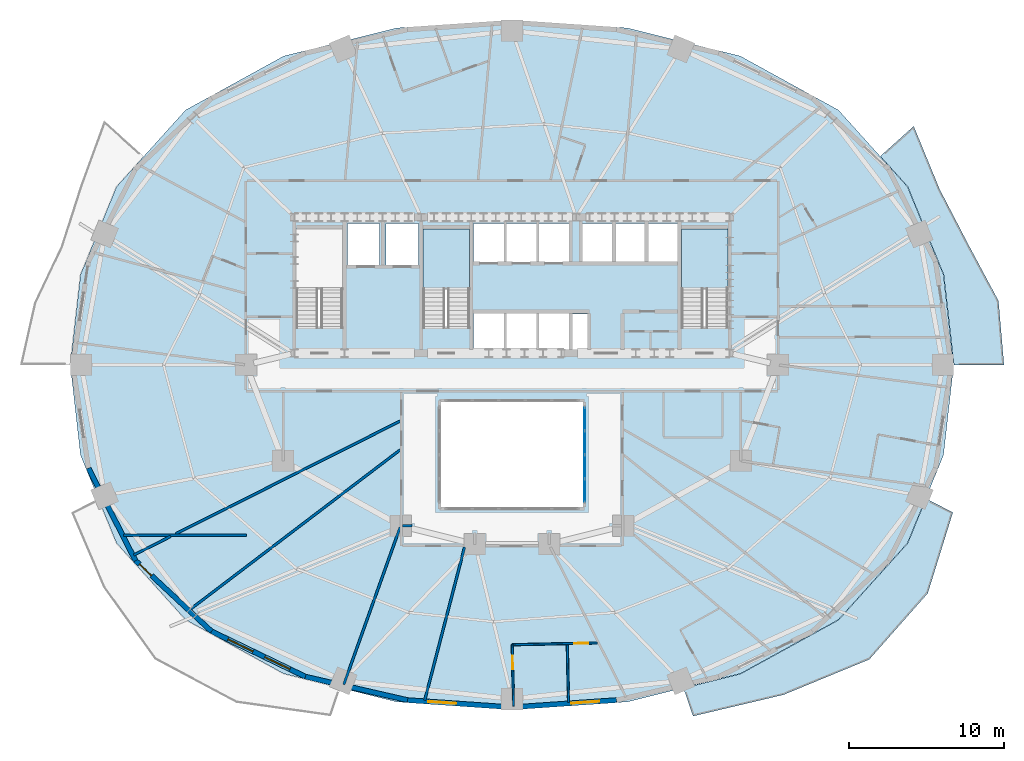
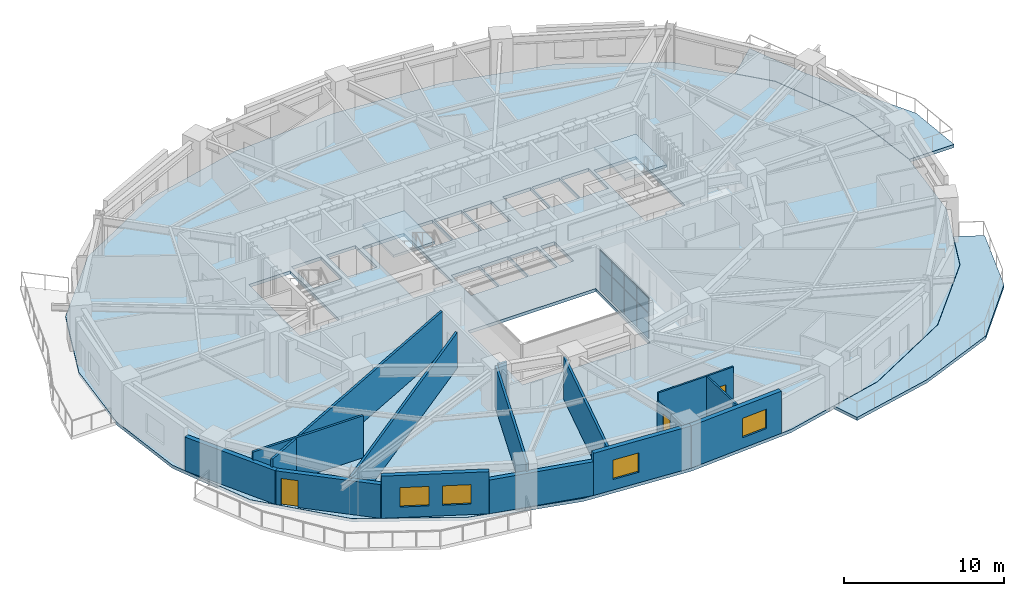
# One storey, part 7 of 15: 16 walls, 8 plates, 5 slabs, 4 windows, 3 doors, 7 openings, 3 elements without a shape of their own.
"""IFC4 building model written with IfcOpenShell, lengths in metres."""

from ifc_helpers import new_model, si_unit, direction, frame, frame_2d, origin, origin_2d, place, context, subcontext, project, spatial, polyline, rectangle, outline, extrude, material, layer, layer_set, type_object, element, fill, aggregate, save


model = new_model("IFC4")

# Units and contexts
model_context = context("Model", 3, precision=1e-05, world=origin(), true_north=direction((0.0, 1.0)))
body_context = subcontext(model_context, "Body", "Model", "MODEL_VIEW")
ifc_project = project(units=[si_unit("LENGTHUNIT", "METRE"), si_unit("AREAUNIT", "SQUARE_METRE"), si_unit("VOLUMEUNIT", "CUBIC_METRE"), si_unit("PLANEANGLEUNIT", "RADIAN"), si_unit("MASSUNIT", "GRAM", prefix="KILO")], contexts=[model_context])

# Site, building, storey
site_placement = place(None, origin())
site = spatial("IfcSite", under=ifc_project, at=site_placement, CompositionType="ELEMENT")
building_placement = place(site_placement, origin())
building = spatial("IfcBuilding", under=site, at=building_placement, Name="Haldorwick Loom Tower", CompositionType="ELEMENT")
storey_placement = place(building_placement, frame((0.0, 0.0, 81.800048828125)))
storey = spatial("IfcBuildingStorey", under=building, at=storey_placement, Name="L21", CompositionType="ELEMENT", Elevation=81.800048828125)

# Curtain wall, plates
ifc_material_1 = material(Name="Thermally Broken Anodized Aluminium Curtain Wall Framing", Category="aluminium")
curtain_wall_type = type_object("IfcCurtainWallType", Name="ARC-CW-03", PredefinedType="NOTDEFINED", material=ifc_material_1)
curtain_wall_placement = place(storey_placement, origin())
curtain_wall = element("IfcCurtainWall", 1, at=curtain_wall_placement, inside=storey, type_object=curtain_wall_type, Name="L21 Atrium Glazed Screen E", PredefinedType="NOTDEFINED")
ifc_material_2 = material(Name="Triple-Glazed Low-E Argon Insulated Glazing Unit", Category="glass")
ifc_layer_1 = layer(ifc_material_2, 0.04296875, Name="Triple-Glazed Low-E Argon Insulated Glazing Unit", Category="glass")
ifc_layer_set_1 = layer_set([ifc_layer_1], Name="Triple-Glazed Low-E Argon Insulated Glazing Unit")
plate_type = type_object("IfcPlateType", Name="ARC-CWP-03", PredefinedType="CURTAIN_PANEL", material=ifc_layer_set_1)
plate_1_placement = place(storey_placement, frame((40.699951171875, 22.508544921875, 0.06591796875), z_axis=(0.0, 0.0, 1.0), x_axis=(0.0, -1.0, 0.0)))
plate_1 = element("IfcPlate", 2, at=plate_1_placement, type_object=plate_type, Name="CW-03 panel 1.1", PredefinedType="CURTAIN_PANEL", context=body_context, shape_type="SweptSolid", body=[
    extrude(rectangle(XDim=1.450927734375, YDim=0.04296875, at=origin_2d()), origin(), (0.0, 0.0, 1.0), 1.90087890625),
])
plate_2_placement = place(storey_placement, frame((40.699951171875, 22.508544921875, 2.03271484375), z_axis=(0.0, 0.0, 1.0), x_axis=(0.0, -1.0, 0.0)))
plate_2 = element("IfcPlate", 3, at=plate_2_placement, type_object=plate_type, Name="CW-03 panel 1.2", PredefinedType="CURTAIN_PANEL", context=body_context, shape_type="SweptSolid", body=[
    extrude(rectangle(XDim=1.450927734375, YDim=0.04296875, at=origin_2d()), origin(), (0.0, 0.0, 1.0), 1.111083984375),
])
plate_3_placement = place(storey_placement, frame((40.699951171875, 20.97509765625, 0.06591796875), z_axis=(0.0, 0.0, 1.0), x_axis=(0.0, -1.0, 0.0)))
plate_3 = element("IfcPlate", 4, at=plate_3_placement, type_object=plate_type, Name="CW-03 panel 2.1", PredefinedType="CURTAIN_PANEL", context=body_context, shape_type="SweptSolid", body=[
    extrude(rectangle(XDim=1.48388671875, YDim=0.04296875, at=origin_2d()), origin(), (0.0, 0.0, 1.0), 1.90087890625),
])
plate_4_placement = place(storey_placement, frame((40.699951171875, 20.97509765625, 2.03271484375), z_axis=(0.0, 0.0, 1.0), x_axis=(0.0, -1.0, 0.0)))
plate_4 = element("IfcPlate", 5, at=plate_4_placement, type_object=plate_type, Name="CW-03 panel 2.2", PredefinedType="CURTAIN_PANEL", context=body_context, shape_type="SweptSolid", body=[
    extrude(rectangle(XDim=1.48388671875, YDim=0.04296875, at=origin_2d()), origin(), (0.0, 0.0, 1.0), 1.111083984375),
])
plate_5_placement = place(storey_placement, frame((40.699951171875, 19.425048828125, 0.06591796875), z_axis=(0.0, 0.0, 1.0), x_axis=(0.0, -1.0, 0.0)))
plate_5 = element("IfcPlate", 6, at=plate_5_placement, type_object=plate_type, Name="CW-03 panel 3.1", PredefinedType="CURTAIN_PANEL", context=body_context, shape_type="SweptSolid", body=[
    extrude(rectangle(XDim=1.48388671875, YDim=0.04296875, at=origin_2d()), origin(), (0.0, 0.0, 1.0), 1.90087890625),
])
plate_6_placement = place(storey_placement, frame((40.699951171875, 19.425048828125, 2.03271484375), z_axis=(0.0, 0.0, 1.0), x_axis=(0.0, -1.0, 0.0)))
plate_6 = element("IfcPlate", 7, at=plate_6_placement, type_object=plate_type, Name="CW-03 panel 3.2", PredefinedType="CURTAIN_PANEL", context=body_context, shape_type="SweptSolid", body=[
    extrude(rectangle(XDim=1.48388671875, YDim=0.04296875, at=origin_2d()), origin(), (0.0, 0.0, 1.0), 1.111083984375),
])
plate_7_placement = place(storey_placement, frame((40.699951171875, 17.8916015625, 0.06591796875), z_axis=(0.0, 0.0, 1.0), x_axis=(0.0, -1.0, 0.0)))
plate_7 = element("IfcPlate", 8, at=plate_7_placement, type_object=plate_type, Name="CW-03 panel 4.1", PredefinedType="CURTAIN_PANEL", context=body_context, shape_type="SweptSolid", body=[
    extrude(rectangle(XDim=1.450927734375, YDim=0.04296875, at=origin_2d()), origin(), (0.0, 0.0, 1.0), 1.90087890625),
])
plate_8_placement = place(storey_placement, frame((40.699951171875, 17.8916015625, 2.03271484375), z_axis=(0.0, 0.0, 1.0), x_axis=(0.0, -1.0, 0.0)))
plate_8 = element("IfcPlate", 9, at=plate_8_placement, type_object=plate_type, Name="CW-03 panel 4.2", PredefinedType="CURTAIN_PANEL", context=body_context, shape_type="SweptSolid", body=[
    extrude(rectangle(XDim=1.450927734375, YDim=0.04296875, at=origin_2d()), origin(), (0.0, 0.0, 1.0), 1.111083984375),
])
aggregate(curtain_wall, [plate_1, plate_2, plate_3, plate_4, plate_5, plate_6, plate_7, plate_8])

# Slabs
ifc_material_3 = material(Name="Concrete C40 (40 MPa)", Category="concrete")
ifc_layer_2 = layer(ifc_material_3, 0.239990234375, Name="Concrete C40 (40 MPa)", Category="concrete")
ifc_layer_set_2 = layer_set([ifc_layer_2], Name="Concrete C40 (40 MPa)")
slab_type_1 = type_object("IfcSlabType", Name="STR-SLB-BAL240", PredefinedType="FLOOR", material=ifc_layer_set_2)
slab_1_placement = place(storey_placement, frame((0.0, 0.0, -0.239990234375)))
element("IfcSlab", 10, at=slab_1_placement, inside=storey, type_object=slab_type_1, Name="L21 Sinusoidal Balcony Terrace BAL_SE", PredefinedType="FLOOR", context=body_context, shape_type="SweptSolid", body=[
    extrude(outline(polyline([(62.759033203125, 17.349609375), (61.580078125, 14.468994140625), (61.579345703125, 14.4677734375), (61.578857421875, 14.466552734375), (61.578125, 14.465576171875), (61.5771484375, 14.464599609375), (57.11279296875, 9.51318359375), (57.11181640625, 9.51220703125), (57.1103515625, 9.510986328125), (57.10888671875, 9.51025390625), (50.767822265625, 6.0244140625), (50.7666015625, 6.023681640625), (50.765380859375, 6.023193359375), (50.76416015625, 6.022705078125), (47.087890625, 5.10546875), (47.705810546875, 3.292724609375), (53.555908203125, 4.676025390625), (59.101806640625, 6.961669921875), (62.8779296875, 11.235107421875), (64.50244140625, 16.4658203125), (62.759033203125, 17.349609375)])), origin(), (0.0, 0.0, 1.0), 0.239990234375),
])
slab_2_placement = place(storey_placement, frame((0.0, 0.0, -0.239990234375)))
element("IfcSlab", 11, at=slab_2_placement, inside=storey, type_object=slab_type_1, Name="L21 Sinusoidal Balcony Terrace BAL_ENE", PredefinedType="FLOOR", context=body_context, shape_type="SweptSolid", body=[
    extrude(outline(polyline([(59.8134765625, 39.49169921875), (61.5771484375, 37.535400390625), (61.578125, 37.534423828125), (61.578857421875, 37.533447265625), (61.579345703125, 37.5322265625), (61.580078125, 37.531005859375), (63.90869140625, 31.841796875), (63.9091796875, 31.840576171875), (63.909423828125, 31.83935546875), (63.90966796875, 31.837890625), (64.572509765625, 26.001708984375), (64.572509765625, 26.0), (67.8076171875, 26.0), (67.451904296875, 30.13720703125), (65.49462890625, 33.793701171875), (63.64013671875, 37.364990234375), (61.96923828125, 41.431640625), (59.8134765625, 39.49169921875)])), origin(), (0.0, 0.0, 1.0), 0.239990234375),
])

# Stair, slab
stair_type = type_object("IfcStairType", Name="STR-STR-CORE", PredefinedType="HALF_TURN_STAIR", material=ifc_material_3)
stair_1_placement = place(storey_placement, origin())
stair_1 = element("IfcStair", 12, at=stair_1_placement, inside=storey, type_object=stair_type, Name="L21 Exit Stair ST-02", PredefinedType="HALF_TURN_STAIR")
ifc_layer_3 = layer(ifc_material_3, 0.199951171875, Name="Concrete C40 (40 MPa)", Category="concrete")
ifc_layer_set_3 = layer_set([ifc_layer_3], Name="Concrete C40 (40 MPa)")
slab_type_2 = type_object("IfcSlabType", Name="STR-SLB-LAND200", PredefinedType="LANDING", material=ifc_layer_set_3)
slab_3_placement = place(storey_placement, frame((0.0, 0.0, 1.52490234375)))
slab_3 = element("IfcSlab", 13, at=slab_3_placement, type_object=slab_type_2, Name="ST-02 landing 1", PredefinedType="LANDING", context=body_context, shape_type="SweptSolid", body=[
    extrude(outline(polyline([(49.949951171875, 30.919921875), (49.949951171875, 34.800048828125), (46.949951171875, 34.800048828125), (46.949951171875, 30.919921875), (49.949951171875, 30.919921875)])), origin(), (0.0, 0.0, 1.0), 0.199951171875),
])
aggregate(stair_1, [slab_3])

stair_2_placement = place(storey_placement, origin())
stair_2 = element("IfcStair", 14, at=stair_2_placement, inside=storey, type_object=stair_type, Name="L21 Exit Stair ST-03", PredefinedType="HALF_TURN_STAIR")
slab_4_placement = place(storey_placement, frame((0.0, 0.0, 1.52490234375)))
slab_4 = element("IfcSlab", 15, at=slab_4_placement, type_object=slab_type_2, Name="ST-03 landing 1", PredefinedType="LANDING", context=body_context, shape_type="SweptSolid", body=[
    extrude(outline(polyline([(33.25, 30.919921875), (33.25, 34.800048828125), (30.25, 34.800048828125), (30.25, 30.919921875), (33.25, 30.919921875)])), origin(), (0.0, 0.0, 1.0), 0.199951171875),
])
aggregate(stair_2, [slab_4])

# Slab
ifc_layer_4 = layer(ifc_material_3, 0.239990234375, Name="Concrete C40 (40 MPa)", Category="concrete")
ifc_layer_set_4 = layer_set([ifc_layer_4], Name="Concrete C40 (40 MPa)")
slab_type_3 = type_object("IfcSlabType", Name="STR-SLB-RES240", PredefinedType="FLOOR", material=ifc_layer_set_4)
slab_5_placement = place(storey_placement, frame((0.0, 0.0, -0.239990234375)))
element("IfcSlab", 16, at=slab_5_placement, inside=storey, type_object=slab_type_3, Name="L21 Residential Structural Floor Slab", PredefinedType="FLOOR", context=body_context, shape_type="SweptSolid", body=[
    extrude(outline(polyline([(57.101806640625, 9.523193359375), (61.566162109375, 14.474609375), (63.894775390625, 20.163818359375), (64.5576171875, 26.0), (63.894775390625, 31.836181640625), (61.566162109375, 37.525390625), (57.101806640625, 42.476806640625), (50.760498046875, 45.962646484375), (43.474365234375, 47.781005859375), (36.0, 48.29833984375), (28.525634765625, 47.781005859375), (21.239501953125, 45.962646484375), (14.898193359375, 42.476806640625), (10.433837890625, 37.525390625), (8.105224609375, 31.836181640625), (7.4423828125, 26.0), (8.105224609375, 20.163818359375), (10.433837890625, 14.474609375), (14.898193359375, 9.523193359375), (21.239501953125, 6.037353515625), (28.525634765625, 4.218994140625), (36.0, 3.70166015625), (43.474365234375, 4.218994140625), (50.760498046875, 6.037353515625), (57.101806640625, 9.523193359375)]), holes=[polyline([(31.39990234375, 23.60009765625), (40.60009765625, 23.60009765625), (40.60009765625, 16.800048828125), (31.39990234375, 16.800048828125), (31.39990234375, 23.60009765625)]), polyline([(33.5, 26.85009765625), (33.5, 29.35009765625), (35.5, 29.35009765625), (35.5, 26.85009765625), (33.5, 26.85009765625)]), polyline([(22.050048828125, 28.39990234375), (22.050048828125, 34.800048828125), (25.050048828125, 34.800048828125), (25.050048828125, 28.639892578125), (23.6201171875, 28.639892578125), (23.6201171875, 28.39990234375), (22.050048828125, 28.39990234375)]), polyline([(30.25, 28.39990234375), (30.25, 34.800048828125), (33.25, 34.800048828125), (33.25, 28.639892578125), (31.820068359375, 28.639892578125), (31.820068359375, 28.39990234375), (30.25, 28.39990234375)]), polyline([(25.35009765625, 32.449951171875), (25.35009765625, 35.14990234375), (27.449951171875, 35.14990234375), (27.449951171875, 32.449951171875), (25.35009765625, 32.449951171875)]), polyline([(27.85009765625, 32.449951171875), (27.85009765625, 35.14990234375), (29.949951171875, 35.14990234375), (29.949951171875, 32.449951171875), (27.85009765625, 32.449951171875)]), polyline([(33.5, 32.64990234375), (33.5, 35.14990234375), (35.5, 35.14990234375), (35.5, 32.64990234375), (33.5, 32.64990234375)]), polyline([(35.60009765625, 32.64990234375), (35.60009765625, 35.14990234375), (37.60009765625, 35.14990234375), (37.60009765625, 32.64990234375), (35.60009765625, 32.64990234375)]), polyline([(35.60009765625, 26.85009765625), (35.60009765625, 29.35009765625), (37.60009765625, 29.35009765625), (37.60009765625, 26.85009765625), (35.60009765625, 26.85009765625)]), polyline([(37.699951171875, 26.85009765625), (37.699951171875, 29.35009765625), (39.699951171875, 29.35009765625), (39.699951171875, 26.85009765625), (37.699951171875, 26.85009765625)]), polyline([(39.89990234375, 26.89990234375), (39.89990234375, 29.300048828125), (40.89990234375, 29.300048828125), (40.89990234375, 26.89990234375), (39.89990234375, 26.89990234375)]), polyline([(46.949951171875, 28.39990234375), (46.949951171875, 34.800048828125), (49.949951171875, 34.800048828125), (49.949951171875, 28.639892578125), (48.52001953125, 28.639892578125), (48.52001953125, 28.39990234375), (46.949951171875, 28.39990234375)]), polyline([(37.699951171875, 32.64990234375), (37.699951171875, 35.14990234375), (39.699951171875, 35.14990234375), (39.699951171875, 32.64990234375), (37.699951171875, 32.64990234375)]), polyline([(40.550048828125, 32.64990234375), (40.550048828125, 35.14990234375), (42.550048828125, 35.14990234375), (42.550048828125, 32.64990234375), (40.550048828125, 32.64990234375)]), polyline([(42.64990234375, 32.64990234375), (42.64990234375, 35.14990234375), (44.64990234375, 35.14990234375), (44.64990234375, 32.64990234375), (42.64990234375, 32.64990234375)]), polyline([(44.75, 32.64990234375), (44.75, 35.14990234375), (46.75, 35.14990234375), (46.75, 32.64990234375), (44.75, 32.64990234375)])]), origin(), (0.0, 0.0, 1.0), 0.239990234375),
])

# Wall
ifc_material_4 = material(Name="Pressed Clay Face Brick and Insulated Masonry Backup Assembly", Category="masonry")
ifc_layer_5 = layer(ifc_material_4, 0.320068359375, Name="Pressed Clay Face Brick and Insulated Masonry Backup Assembly", Category="masonry")
ifc_layer_set_5 = layer_set([ifc_layer_5], Name="Pressed Clay Face Brick and Insulated Masonry Backup Assembly")
wall_type_1 = type_object("IfcWallType", Name="ARC-WL-EXT320", PredefinedType="STANDARD", material=ifc_layer_set_5)
wall_1_placement = place(storey_placement, frame((8.619384765625, 19.324951171875, 0.0), z_axis=(0.0, 0.0, 1.0), x_axis=(0.453374078001, -0.89132033826, 0.0)))
element("IfcWall", 17, at=wall_1_placement, inside=storey, type_object=wall_type_1, Name="L21 Brick Pier and Spandrel Wall 14", PredefinedType="STANDARD", context=body_context, shape_type="SweptSolid", body=[
    extrude(rectangle(XDim=6.709716796875, YDim=0.320068359375, at=frame_2d((3.35498046875, 0.0))), origin(), (0.0, 0.0, 1.0), 2.56884765625),
])

# Wall, opening, door
wall_2_placement = place(storey_placement, frame((11.661376953125, 13.344482421875, 0.0), z_axis=(0.0, 0.0, 1.0), x_axis=(0.732137360086, -0.681157020052, 0.0)))
wall_2 = element("IfcWall", 18, at=wall_2_placement, inside=storey, type_object=wall_type_1, Name="L21 Brick Pier and Spandrel Wall 15", PredefinedType="STANDARD", context=body_context, shape_type="SweptSolid", body=[
    extrude(rectangle(XDim=6.709228515625, YDim=0.320068359375, at=frame_2d((3.3544921875, 0.0))), origin(), (0.0, 0.0, 1.0), 2.56884765625),
])
opening_1_placement = place(wall_2_placement, frame((0.340087890625, 0.0, 0.0)))
opening_1 = element("IfcOpeningElement", 19, at=opening_1_placement, cuts=wall_2, Name="Opening D-BL11", PredefinedType="OPENING", context=body_context, shape_type="SweptSolid", body=[
    extrude(rectangle(XDim=1.080078125, YDim=2.0400390625, at=frame_2d((0.5400390625, 1.02001953125))), frame((0.0, 0.169921875, 0.0), z_axis=(0.0, -1.0, 0.0), x_axis=(1.0, 0.0, 0.0)), (0.0, 0.0, 1.0), 0.340087890625),
])
door_type_1 = type_object("IfcDoorType", Name="ARC-DR-BAL110", OperationType="NOTDEFINED", PredefinedType="DOOR", material=ifc_material_1)
door_1_placement = place(opening_1_placement, origin())
door_1 = element("IfcDoor", 20, at=door_1_placement, inside=storey, type_object=door_type_1, Name="L21 Outdoor Terrace Door SLB-L21-BAL_SW", OperationType="SINGLE_SWING_LEFT", OverallHeight=2.0400390625, OverallWidth=1.080078125, PredefinedType="DOOR", context=body_context, shape_type="SweptSolid", body=[
    extrude(rectangle(XDim=1.080078125, YDim=2.0400390625, at=frame_2d((0.5400390625, 1.02001953125))), frame((0.0, 0.02490234375, 0.0), z_axis=(0.0, -1.0, 0.0), x_axis=(1.0, 0.0, 0.0)), (0.0, 0.0, 1.0), 0.050048828125),
])
fill(opening_1, door_1)

# Wall, openings, windows
wall_3_placement = place(storey_placement, frame((16.573486328125, 8.7744140625, 0.0), z_axis=(0.0, 0.0, 1.0), x_axis=(0.900510094661, -0.434835106004, 0.0)))
wall_3 = element("IfcWall", 21, at=wall_3_placement, inside=storey, type_object=wall_type_1, Name="L21 Brick Pier and Spandrel Wall 16", PredefinedType="STANDARD", context=body_context, shape_type="SweptSolid", body=[
    extrude(rectangle(XDim=6.744873046875, YDim=0.320068359375, at=frame_2d((3.37255859375, 0.0))), origin(), (0.0, 0.0, 1.0), 3.2099609375),
])
opening_2_placement = place(wall_3_placement, frame((1.180908203125, 0.0, 0.800048828125)))
opening_2 = element("IfcOpeningElement", 22, at=opening_2_placement, cuts=wall_3, Name="Opening W-01", PredefinedType="OPENING", context=body_context, shape_type="SweptSolid", body=[
    extrude(rectangle(XDim=1.800048828125, YDim=1.47998046875, at=frame_2d((0.89990234375, 0.739990234375))), frame((0.0, 0.169921875, 0.0), z_axis=(0.0, -1.0, 0.0), x_axis=(1.0, 0.0, 0.0)), (0.0, 0.0, 1.0), 0.340087890625),
])
opening_3_placement = place(wall_3_placement, frame((3.8212890625, 0.0, 0.800048828125)))
opening_3 = element("IfcOpeningElement", 23, at=opening_3_placement, cuts=wall_3, Name="Opening W-01", PredefinedType="OPENING", context=body_context, shape_type="SweptSolid", body=[
    extrude(rectangle(XDim=1.800048828125, YDim=1.47998046875, at=frame_2d((0.89990234375, 0.739990234375))), frame((0.0, 0.169921875, 0.0), z_axis=(0.0, -1.0, 0.0), x_axis=(1.0, 0.0, 0.0)), (0.0, 0.0, 1.0), 0.340087890625),
])
window_type = type_object("IfcWindowType", Name="ARC-WIN-W180", PartitioningType="SINGLE_PANEL", PredefinedType="WINDOW", material=ifc_material_2)
window_1_placement = place(opening_2_placement, origin())
window_1 = element("IfcWindow", 24, at=window_1_placement, inside=storey, type_object=window_type, Name="L21 Deep-Set Zone 7A Window 16", OverallHeight=1.47998046875, OverallWidth=1.800048828125, PartitioningType="SINGLE_PANEL", PredefinedType="WINDOW", context=body_context, shape_type="SweptSolid", body=[
    extrude(rectangle(XDim=1.800048828125, YDim=1.47998046875, at=frame_2d((0.89990234375, 0.739990234375))), frame((0.0, 0.030029296875, 0.0), z_axis=(0.0, -1.0, 0.0), x_axis=(1.0, 0.0, 0.0)), (0.0, 0.0, 1.0), 0.06005859375),
])
fill(opening_2, window_1)
window_2_placement = place(opening_3_placement, origin())
window_2 = element("IfcWindow", 25, at=window_2_placement, inside=storey, type_object=window_type, Name="L21 Deep-Set Zone 7A Window 16", OverallHeight=1.47998046875, OverallWidth=1.800048828125, PartitioningType="SINGLE_PANEL", PredefinedType="WINDOW", context=body_context, shape_type="SweptSolid", body=[
    extrude(rectangle(XDim=1.800048828125, YDim=1.47998046875, at=frame_2d((0.89990234375, 0.739990234375))), frame((0.0, 0.030029296875, 0.0), z_axis=(0.0, -1.0, 0.0), x_axis=(1.0, 0.0, 0.0)), (0.0, 0.0, 1.0), 0.06005859375),
])
fill(opening_3, window_2)

# Wall
wall_4_placement = place(storey_placement, frame((22.647216796875, 5.841552734375, 0.0), z_axis=(0.0, 0.0, 1.0), x_axis=(0.974584177714, -0.224021607329, 0.0)))
element("IfcWall", 26, at=wall_4_placement, inside=storey, type_object=wall_type_1, Name="L21 Brick Pier and Spandrel Wall 17", PredefinedType="STANDARD", context=body_context, shape_type="SweptSolid", body=[
    extrude(rectangle(XDim=6.767822265625, YDim=0.320068359375, at=frame_2d((3.3837890625, 0.0))), origin(), (0.0, 0.0, 1.0), 2.56884765625),
])

# Wall, opening, window
wall_5_placement = place(storey_placement, frame((29.242919921875, 4.325439453125, 0.0), z_axis=(0.0, 0.0, 1.0), x_axis=(0.997651949344, -0.068487867318, 0.0)))
wall_5 = element("IfcWall", 27, at=wall_5_placement, inside=storey, type_object=wall_type_1, Name="L21 Brick Pier and Spandrel Wall 18", PredefinedType="STANDARD", context=body_context, shape_type="SweptSolid", body=[
    extrude(rectangle(XDim=6.77294921875, YDim=0.320068359375, at=frame_2d((3.386474609375, 0.0))), origin(), (0.0, 0.0, 1.0), 3.2099609375),
])
opening_4_placement = place(wall_5_placement, frame((1.353515625, 0.0, 0.800048828125)))
opening_4 = element("IfcOpeningElement", 28, at=opening_4_placement, cuts=wall_5, Name="Opening W-01", PredefinedType="OPENING", context=body_context, shape_type="SweptSolid", body=[
    extrude(rectangle(XDim=1.800048828125, YDim=1.47998046875, at=frame_2d((0.89990234375, 0.739990234375))), frame((0.0, 0.169921875, 0.0), z_axis=(0.0, -1.0, 0.0), x_axis=(1.0, 0.0, 0.0)), (0.0, 0.0, 1.0), 0.340087890625),
])
window_3_placement = place(opening_4_placement, origin())
window_3 = element("IfcWindow", 29, at=window_3_placement, inside=storey, type_object=window_type, Name="L21 Deep-Set Zone 7A Window 18", OverallHeight=1.47998046875, OverallWidth=1.800048828125, PartitioningType="SINGLE_PANEL", PredefinedType="WINDOW", context=body_context, shape_type="SweptSolid", body=[
    extrude(rectangle(XDim=1.800048828125, YDim=1.47998046875, at=frame_2d((0.89990234375, 0.739990234375))), frame((0.0, 0.030029296875, 0.0), z_axis=(0.0, -1.0, 0.0), x_axis=(1.0, 0.0, 0.0)), (0.0, 0.0, 1.0), 0.06005859375),
])
fill(opening_4, window_3)

wall_6_placement = place(storey_placement, frame((36.0, 3.861572265625, 0.0), z_axis=(0.0, 0.0, 1.0), x_axis=(0.997651949344, 0.068487867318, 0.0)))
wall_6 = element("IfcWall", 30, at=wall_6_placement, inside=storey, type_object=wall_type_1, Name="L21 Brick Pier and Spandrel Wall 19", PredefinedType="STANDARD", context=body_context, shape_type="SweptSolid", body=[
    extrude(rectangle(XDim=6.77294921875, YDim=0.320068359375, at=frame_2d((3.386474609375, 0.0))), origin(), (0.0, 0.0, 1.0), 3.2099609375),
])
opening_5_placement = place(wall_6_placement, frame((3.841064453125, 0.0, 0.800048828125)))
opening_5 = element("IfcOpeningElement", 31, at=opening_5_placement, cuts=wall_6, Name="Opening W-01", PredefinedType="OPENING", context=body_context, shape_type="SweptSolid", body=[
    extrude(rectangle(XDim=1.800048828125, YDim=1.47998046875, at=frame_2d((0.89990234375, 0.739990234375))), frame((0.0, 0.169921875, 0.0), z_axis=(0.0, -1.0, 0.0), x_axis=(1.0, 0.0, 0.0)), (0.0, 0.0, 1.0), 0.340087890625),
])
window_4_placement = place(opening_5_placement, origin())
window_4 = element("IfcWindow", 32, at=window_4_placement, inside=storey, type_object=window_type, Name="L21 Deep-Set Zone 7A Window 19", OverallHeight=1.47998046875, OverallWidth=1.800048828125, PartitioningType="SINGLE_PANEL", PredefinedType="WINDOW", context=body_context, shape_type="SweptSolid", body=[
    extrude(rectangle(XDim=1.800048828125, YDim=1.47998046875, at=frame_2d((0.89990234375, 0.739990234375))), frame((0.0, 0.030029296875, 0.0), z_axis=(0.0, -1.0, 0.0), x_axis=(1.0, 0.0, 0.0)), (0.0, 0.0, 1.0), 0.06005859375),
])
fill(opening_5, window_4)

# Walls
ifc_material_5 = material(Name="Fire-Rated Type X Gypsum Stud Assembly EI 60")
ifc_layer_6 = layer(ifc_material_5, 0.159912109375, Name="Fire-Rated Type X Gypsum Stud Assembly EI 60")
ifc_layer_set_6 = layer_set([ifc_layer_6], Name="Fire-Rated Type X Gypsum Stud Assembly EI 60")
wall_type_2 = type_object("IfcWallType", Name="ARC-WL-FIRE160", PredefinedType="PARTITIONING", material=ifc_layer_set_6)
wall_7_placement = place(storey_placement, frame((28.76708984375, 15.5078125, 0.0), z_axis=(0.0, 0.0, 1.0), x_axis=(-0.337029319977, -0.941494151589, 0.0)))
element("IfcWall", 33, at=wall_7_placement, inside=storey, type_object=wall_type_2, Name="L21 Residential Fire Partition L21-ICR-10", PredefinedType="PARTITIONING", context=body_context, shape_type="SweptSolid", body=[
    extrude(rectangle(XDim=10.80126953125, YDim=0.159912109375, at=frame_2d((5.400634765625, 0.0))), origin(), (0.0, 0.0, 1.0), 3.195068359375),
])
wall_8_placement = place(storey_placement, frame((29.550048828125, 15.60009765625, 0.0), z_axis=(0.0, 0.0, 1.0), x_axis=(-1.0, 0.0, 0.0)))
element("IfcWall", 34, at=wall_8_placement, inside=storey, type_object=wall_type_2, Name="L21 Residential Fire Partition L21-ICA-09", PredefinedType="PARTITIONING", context=body_context, shape_type="SweptSolid", body=[
    extrude(rectangle(XDim=0.616943359375, YDim=0.159912109375, at=frame_2d((0.30859375, 0.0))), origin(), (0.0, 0.0, 1.0), 3.195068359375),
])
wall_9_placement = place(storey_placement, frame((10.89208984375, 15.0, 0.0), z_axis=(0.0, 0.0, 1.0), x_axis=(1.0, 0.0, 0.0)))
element("IfcWall", 35, at=wall_9_placement, inside=storey, type_object=wall_type_2, Name="L21 Residential Fire Partition L21-FLW-16", PredefinedType="PARTITIONING", context=body_context, shape_type="SweptSolid", body=[
    extrude(rectangle(XDim=7.9580078125, YDim=0.159912109375, at=frame_2d((3.97900390625, 0.0))), origin(), (0.0, 0.0, 1.0), 3.195068359375),
])
wall_10_placement = place(storey_placement, frame((32.933349609375, 14.217041015625, 0.0), z_axis=(0.0, 0.0, 1.0), x_axis=(-0.251876990482, -0.967759258114, 0.0)))
element("IfcWall", 36, at=wall_10_placement, inside=storey, type_object=wall_type_2, Name="L21 Suite Split Wall", PredefinedType="PARTITIONING", context=body_context, shape_type="SweptSolid", body=[
    extrude(rectangle(XDim=10.232666015625, YDim=0.159912109375, at=frame_2d((5.1162109375, 0.0))), origin(), (0.0, 0.0, 1.0), 3.195068359375),
])
wall_11_placement = place(storey_placement, frame((28.76708984375, 22.365966796875, 0.0), z_axis=(0.0, 0.0, 1.0), x_axis=(-0.893564716525, -0.448934402093, 0.0)))
element("IfcWall", 37, at=wall_11_placement, inside=storey, type_object=wall_type_2, Name="L21 Suite Split Wall", PredefinedType="PARTITIONING", context=body_context, shape_type="SweptSolid", body=[
    extrude(rectangle(XDim=16.22265625, YDim=0.159912109375, at=frame_2d((8.111328125, 0.0))), origin(), (0.0, 0.0, 1.0), 3.195068359375),
])
wall_12_placement = place(storey_placement, frame((13.940673828125, 14.9169921875, 0.0), z_axis=(0.0, 0.0, 1.0), x_axis=(-0.89356906561, -0.448925745514, 0.0)))
element("IfcWall", 38, at=wall_12_placement, inside=storey, type_object=wall_type_2, Name="L21 Suite Split Wall", PredefinedType="PARTITIONING", context=body_context, shape_type="SweptSolid", body=[
    extrude(rectangle(XDim=2.679443359375, YDim=0.159912109375, at=frame_2d((1.33984375, 0.0))), origin(), (0.0, 0.0, 1.0), 3.195068359375),
])
wall_13_placement = place(storey_placement, frame((28.76708984375, 20.505126953125, 0.0), z_axis=(0.0, 0.0, 1.0), x_axis=(-0.796283367335, -0.604923795949, 0.0)))
element("IfcWall", 39, at=wall_13_placement, inside=storey, type_object=wall_type_2, Name="L21 Suite Split Wall", PredefinedType="PARTITIONING", context=body_context, shape_type="SweptSolid", body=[
    extrude(rectangle(XDim=17.080810546875, YDim=0.159912109375, at=frame_2d((8.54052734375, 0.0))), origin(), (0.0, 0.0, 1.0), 2.718994140625),
])

# Wall, opening, door
ifc_material_6 = material(Name="Acoustic Gypsum Stud Assembly STC 55")
ifc_layer_7 = layer(ifc_material_6, 0.1201171875, Name="Acoustic Gypsum Stud Assembly STC 55")
ifc_layer_set_7 = layer_set([ifc_layer_7], Name="Acoustic Gypsum Stud Assembly STC 55")
wall_type_3 = type_object("IfcWallType", Name="ARC-WL-PART120", PredefinedType="PARTITIONING", material=ifc_layer_set_7)
wall_14_placement = place(storey_placement, frame((36.01611328125, 7.908203125, 0.0), z_axis=(0.0, 0.0, 1.0), x_axis=(0.999776534669, 0.021139553594, 0.0)))
wall_14 = element("IfcWall", 40, at=wall_14_placement, inside=storey, type_object=wall_type_3, Name="L21 Unit 21H Interior Partition", PredefinedType="PARTITIONING", context=body_context, shape_type="SweptSolid", body=[
    extrude(rectangle(XDim=5.497314453125, YDim=0.1201171875, at=frame_2d((2.74853515625, 0.0))), origin(), (0.0, 0.0, 1.0), 3.195068359375),
])
opening_6_placement = place(wall_14_placement, frame((4.0166015625, 0.0, 0.0)))
opening_6 = element("IfcOpeningElement", 41, at=opening_6_placement, cuts=wall_14, Name="Opening D-IN90", PredefinedType="OPENING", context=body_context, shape_type="SweptSolid", body=[
    extrude(rectangle(XDim=0.89990234375, YDim=2.0400390625, at=frame_2d((0.449951171875, 1.02001953125))), frame((0.0, 0.070068359375, 0.0), z_axis=(0.0, -1.0, 0.0), x_axis=(1.0, 0.0, 0.0)), (0.0, 0.0, 1.0), 0.14013671875),
])
ifc_material_7 = material(Name="Solid Core Birch Architectural Door")
door_type_2 = type_object("IfcDoorType", Name="ARC-DR-INT90", OperationType="NOTDEFINED", PredefinedType="DOOR", material=ifc_material_7)
door_2_placement = place(opening_6_placement, origin())
door_2 = element("IfcDoor", 42, at=door_2_placement, inside=storey, type_object=door_type_2, Name="L21 Unit 21H Kitchen and Living Room to Unit 21H Bedroom 1 Door", OperationType="SINGLE_SWING_RIGHT", OverallHeight=2.0400390625, OverallWidth=0.89990234375, PredefinedType="DOOR", context=body_context, shape_type="SweptSolid", body=[
    extrude(rectangle(XDim=0.89990234375, YDim=2.0400390625, at=frame_2d((0.449951171875, 1.02001953125))), frame((0.0, 0.02490234375, 0.0), z_axis=(0.0, -1.0, 0.0), x_axis=(1.0, 0.0, 0.0)), (0.0, 0.0, 1.0), 0.050048828125),
])
fill(opening_6, door_2)

wall_15_placement = place(storey_placement, frame((36.01611328125, 7.908203125, 0.0), z_axis=(0.0, 0.0, 1.0), x_axis=(0.021125505533, -0.999776831606, 0.0)))
wall_15 = element("IfcWall", 43, at=wall_15_placement, inside=storey, type_object=wall_type_3, Name="L21 Unit 21H Interior Partition", PredefinedType="PARTITIONING", context=body_context, shape_type="SweptSolid", body=[
    extrude(rectangle(XDim=3.9755859375, YDim=0.1201171875, at=frame_2d((1.98779296875, 0.0))), origin(), (0.0, 0.0, 1.0), 2.56787109375),
])
opening_7_placement = place(wall_15_placement, frame((0.702392578125, 0.0, 0.0)))
opening_7 = element("IfcOpeningElement", 44, at=opening_7_placement, cuts=wall_15, Name="Opening D-BT88", PredefinedType="OPENING", context=body_context, shape_type="SweptSolid", body=[
    extrude(rectangle(XDim=0.8798828125, YDim=2.02001953125, at=frame_2d((0.43994140625, 1.010009765625))), frame((0.0, 0.070068359375, 0.0), z_axis=(0.0, -1.0, 0.0), x_axis=(1.0, 0.0, 0.0)), (0.0, 0.0, 1.0), 0.14013671875),
])
door_type_3 = type_object("IfcDoorType", Name="ARC-DR-BATH88", OperationType="NOTDEFINED", PredefinedType="DOOR", material=ifc_material_7)
door_3_placement = place(opening_7_placement, origin())
door_3 = element("IfcDoor", 45, at=door_3_placement, inside=storey, type_object=door_type_3, Name="L21 Unit 21H Bathroom to Unit 21H Kitchen and Living Room Door", OperationType="SINGLE_SWING_LEFT", OverallHeight=2.02001953125, OverallWidth=0.8798828125, PredefinedType="DOOR", context=body_context, shape_type="SweptSolid", body=[
    extrude(rectangle(XDim=0.8798828125, YDim=2.02001953125, at=frame_2d((0.43994140625, 1.010009765625))), frame((0.0, 0.02490234375, 0.0), z_axis=(0.0, -1.0, 0.0), x_axis=(1.0, 0.0, 0.0)), (0.0, 0.0, 1.0), 0.050048828125),
])
fill(opening_7, door_3)

# Wall
wall_16_placement = place(storey_placement, frame((39.574462890625, 7.92041015625, 0.0), z_axis=(0.0, 0.0, 1.0), x_axis=(0.021128932879, -0.999776759179, 0.0)))
element("IfcWall", 46, at=wall_16_placement, inside=storey, type_object=wall_type_3, Name="L21 Unit 21H Interior Partition", PredefinedType="PARTITIONING", context=body_context, shape_type="SweptSolid", body=[
    extrude(rectangle(XDim=3.74365234375, YDim=0.1201171875, at=frame_2d((1.871826171875, 0.0))), origin(), (0.0, 0.0, 1.0), 3.195068359375),
])

save(model, "model.ifc")
